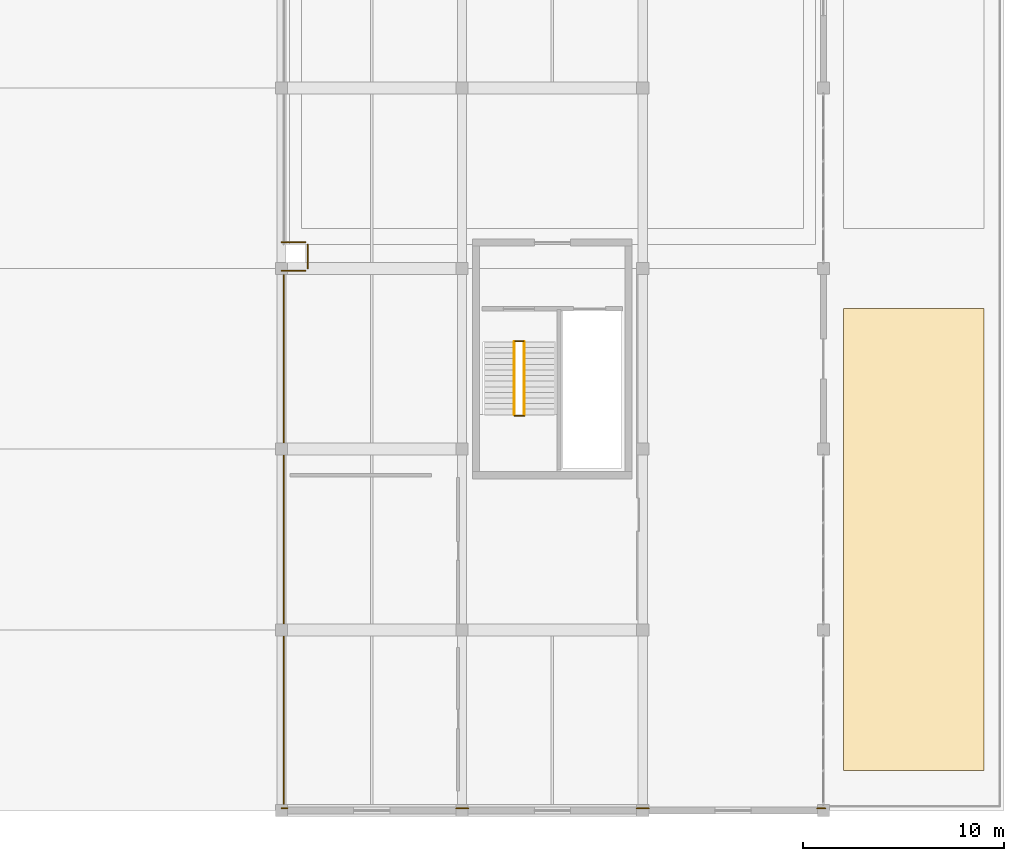
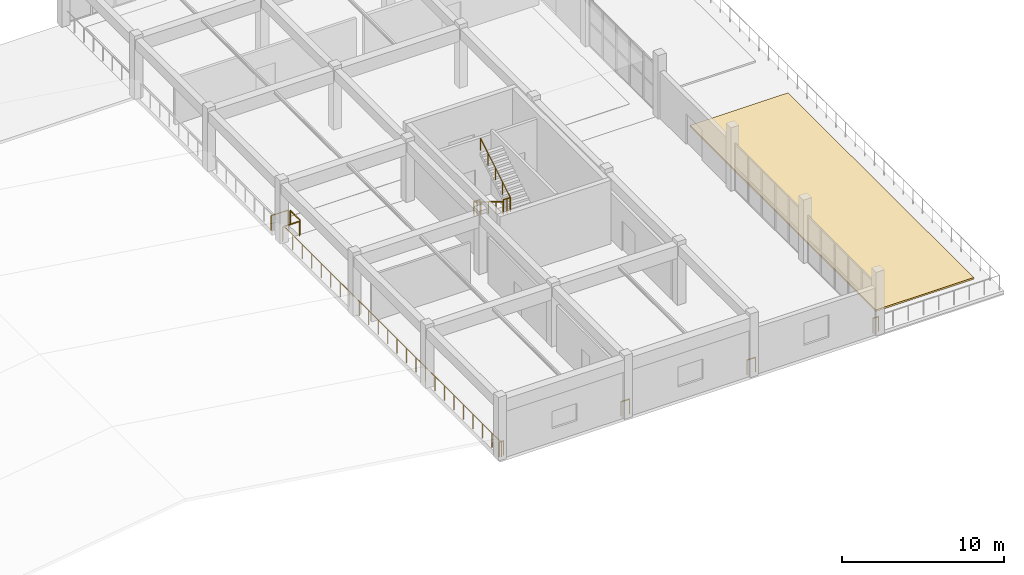
# One storey, part 80 of 89: 12 railings, 1 covering.
"""IFC4 building model written with IfcOpenShell, lengths in metres."""

import ifcopenshell
import ifcopenshell.guid

model = None  # the IFC model being written
_history = None  # IfcOwnerHistory: only IFC2X3 demands one
_inside = {}  # id of a spatial element -> (the spatial element, [elements in it])
_under = {}  # id of a project, library or spatial element -> (it, [spatial elements below it])
_declared = {}  # id of a project -> (the project, [libraries it declares])
_typed = {}  # id of a type object -> (the type object, [elements of that type])
_made_of = {}  # id of a material, layer set ... -> (it, [elements and type objects made of it])


def new_model(schema):
    """Start an empty IFC model of exactly this schema.

    Asked for "IFC4X3", IfcOpenShell would pick the latest addendum, in which some entities
    have other attributes; the version numbers below select the first issue.
    IFC2X3 requires an IfcOwnerHistory on every rooted entity: one is made here for all.
    """
    global model, _history
    if schema == "IFC4X3":
        model = ifcopenshell.file(schema_version=(4, 3, 0, 0))
    else:
        model = ifcopenshell.file(schema=schema)
    _inside.clear()
    _under.clear()
    _declared.clear()
    _typed.clear()
    _made_of.clear()
    _history = None
    if model.schema == "IFC2X3":
        org = make("IfcOrganization", Name="unknown")
        user = make(
            "IfcPersonAndOrganization",
            ThePerson=make("IfcPerson", FamilyName="unknown"),
            TheOrganization=org,
        )
        app = make(
            "IfcApplication",
            ApplicationDeveloper=org,
            Version="unknown",
            ApplicationFullName="unknown",
            ApplicationIdentifier="unknown",
        )
        _history = make(
            "IfcOwnerHistory",
            OwningUser=user,
            OwningApplication=app,
            ChangeAction="ADDED",
            CreationDate=0,
        )
    return model


def make(cls, **values):
    """One entity of the class cls with the attributes given. An attribute that is None is left unset."""
    return model.create_entity(
        cls, **{name: value for name, value in values.items() if value is not None}
    )


def rooted(cls, **values):
    """An entity with a GlobalId (a new one), such as an element, a storey or a relation."""
    return make(cls, GlobalId=ifcopenshell.guid.new(), OwnerHistory=_history, **values)


def si_unit(unit_type, name, prefix=None):
    """IfcSIUnit, for example si_unit("LENGTHUNIT", "METRE", prefix="MILLI")."""
    return make("IfcSIUnit", UnitType=unit_type, Prefix=prefix, Name=name)


def assignment(units):
    """IfcUnitAssignment: the units of a project."""
    return None if units is None else make("IfcUnitAssignment", Units=units)


def point(xyz):
    """IfcCartesianPoint."""
    return None if xyz is None else make("IfcCartesianPoint", Coordinates=xyz)


def direction(xyz):
    """IfcDirection."""
    return None if xyz is None else make("IfcDirection", DirectionRatios=xyz)


def frame(location, z_axis=None, x_axis=None):
    """IfcAxis2Placement3D, a coordinate frame: its origin and axes. An axis left out is left unset."""
    return make(
        "IfcAxis2Placement3D",
        Location=point(location),
        Axis=direction(z_axis),
        RefDirection=direction(x_axis),
    )


def frame_2d(location, x_axis=None):
    """IfcAxis2Placement2D, a coordinate frame in the plane: its origin and x axis."""
    return make(
        "IfcAxis2Placement2D", Location=point(location), RefDirection=direction(x_axis)
    )


def origin():
    """The frame at (0, 0, 0) with its axes left unset."""
    return frame((0.0, 0.0, 0.0))


def origin_2d():
    """The frame at (0, 0) in the plane with its x axis left unset."""
    return frame_2d((0.0, 0.0))


def place(relative_to, where):
    """IfcLocalPlacement: puts the frame where relative to a parent placement (None: the world)."""
    return make(
        "IfcLocalPlacement", PlacementRelTo=relative_to, RelativePlacement=where
    )


def context(
    kind, dimensions, precision=None, world=None, true_north=None, identifier=None
):
    """IfcGeometricRepresentationContext, for example the 3D "Model" context."""
    return make(
        "IfcGeometricRepresentationContext",
        ContextIdentifier=identifier,
        ContextType=kind,
        CoordinateSpaceDimension=dimensions,
        Precision=precision,
        WorldCoordinateSystem=world,
        TrueNorth=true_north,
    )


def subcontext(parent, identifier, kind, view, scale=None):
    """IfcGeometricRepresentationSubContext, for example "Body" below "Model"."""
    return make(
        "IfcGeometricRepresentationSubContext",
        ContextIdentifier=identifier,
        ContextType=kind,
        ParentContext=parent,
        TargetScale=scale,
        TargetView=view,
    )


def project(units=None, contexts=None):
    """IfcProject with its units and contexts."""
    return rooted(
        "IfcProject",
        Name="project",
        RepresentationContexts=contexts,
        UnitsInContext=assignment(units),
    )


def spatial(cls, under=None, at=None, **own):
    """A site, building, storey or space (cls), placed at a placement, below another one or the project."""
    s = rooted(cls, ObjectPlacement=at, **own)
    if under is not None:
        _under.setdefault(under.id(), (under, []))[1].append(s)
    return s


def polyline(points):
    """IfcPolyline through the points."""
    return make("IfcPolyline", Points=[point(p) for p in points])


def profile(cls, at=None, kind="AREA", **sizes):
    """A parametric profile (cls). Its sizes go by their IFC names, for example OverallWidth=200.0."""
    return make(cls, ProfileType=kind, Position=at, **sizes)


def circle(**sizes):
    """IfcCircleProfileDef."""
    return profile("IfcCircleProfileDef", **sizes)


def outline(outer, holes=None, kind="AREA"):
    """IfcArbitraryClosedProfileDef: a profile drawn as a closed curve; with holes, ...WithVoids."""
    if holes is None:
        return make("IfcArbitraryClosedProfileDef", ProfileType=kind, OuterCurve=outer)
    return make(
        "IfcArbitraryProfileDefWithVoids",
        ProfileType=kind,
        OuterCurve=outer,
        InnerCurves=holes,
    )


def extrude(swept, where, along, depth):
    """IfcExtrudedAreaSolid: the profile swept, set in the frame where, extruded along a direction by depth."""
    return make(
        "IfcExtrudedAreaSolid",
        SweptArea=swept,
        Position=where,
        ExtrudedDirection=direction(along),
        Depth=depth,
    )


def shape(context_of_items, identifier, shape_type, items):
    """IfcShapeRepresentation: the items that make up one representation, for example the "Body"."""
    return make(
        "IfcShapeRepresentation",
        ContextOfItems=context_of_items,
        RepresentationIdentifier=identifier,
        RepresentationType=shape_type,
        Items=items,
    )


def material(Name=None, Category=None):
    """IfcMaterial."""
    return make("IfcMaterial", Name=Name, Category=Category)


def layer(
    of_material, thickness, ventilated=None, Name=None, Category=None, Priority=None
):
    """IfcMaterialLayer: one layer of a wall or slab, of a material (None: an air gap)."""
    return make(
        "IfcMaterialLayer",
        Material=of_material,
        LayerThickness=thickness,
        IsVentilated=ventilated,
        Name=Name,
        Category=Category,
        Priority=Priority,
    )


def layer_set(layers, Name=None):
    """IfcMaterialLayerSet."""
    return make("IfcMaterialLayerSet", MaterialLayers=layers, LayerSetName=Name)


def made_of(thing, what):
    """Note that an element or type object is made of a material, layer set ...; save() writes the relation."""
    if what is not None:
        _made_of.setdefault(what.id(), (what, []))[1].append(thing)
    return thing


def type_object(cls, material=None, **own):
    """A type object (cls), such as IfcWallType, which elements share."""
    return made_of(rooted(cls, **own), material)


def element(
    cls,
    number,
    at=None,
    inside=None,
    cuts=None,
    type_object=None,
    material=None,
    context=None,
    identifier="Body",
    shape_type=None,
    held_by="IfcProductDefinitionShape",
    body=None,
    shapes=None,
    **own,
):
    """One element of the class cls, such as IfcWall. Its Tag is "e" and its number.

    at: its placement. inside: the storey or other place that contains it. cuts: it is an
    opening in that element (IfcRelVoidsElement). A single representation is given by context,
    identifier, shape_type and body (its items); several are given by shapes. held_by: the class
    of the entity that holds the representations. save() writes the other relations.
    """
    e = rooted(cls, Tag="e%d" % number, ObjectPlacement=at, **own)
    if body is not None:
        shapes = [shape(context, identifier, shape_type, body)]
    if shapes is not None:
        e.Representation = make(held_by, Representations=shapes)
    if inside is not None:
        _inside.setdefault(inside.id(), (inside, []))[1].append(e)
    if cuts is not None:
        rooted(
            "IfcRelVoidsElement", RelatingBuildingElement=cuts, RelatedOpeningElement=e
        )
    if type_object is not None:
        _typed.setdefault(type_object.id(), (type_object, []))[1].append(e)
    return made_of(e, material)


def aggregate(whole, parts):
    """IfcRelAggregates: a whole, such as a stair, and the parts it consists of."""
    return rooted("IfcRelAggregates", RelatingObject=whole, RelatedObjects=parts)


def save(model, path):
    """Write the relations noted so far, then the file.

    IfcRelAggregates (storeys below a building ...), IfcRelContainedInSpatialStructure (elements
    in a storey), IfcRelDefinesByType, IfcRelAssociatesMaterial and IfcRelDeclares: one each for
    every whole, place, type object, material and project.
    """
    for whole, parts in _under.values():
        aggregate(whole, parts)
    for where, things in _inside.values():
        rooted(
            "IfcRelContainedInSpatialStructure",
            RelatedElements=things,
            RelatingStructure=where,
        )
    for kind, things in _typed.values():
        rooted("IfcRelDefinesByType", RelatedObjects=things, RelatingType=kind)
    for what, things in _made_of.values():
        rooted("IfcRelAssociatesMaterial", RelatedObjects=things, RelatingMaterial=what)
    for by, libraries in _declared.values():
        rooted("IfcRelDeclares", RelatingContext=by, RelatedDefinitions=libraries)
    model.write(path)


model = new_model("IFC4")

# Units and contexts
model_context = context("Model", 3, precision=1e-05, world=origin(), true_north=direction((0.0, 1.0)))
body_context = subcontext(model_context, "Body", "Model", "MODEL_VIEW")
ifc_project = project(units=[si_unit("LENGTHUNIT", "METRE"), si_unit("AREAUNIT", "SQUARE_METRE"), si_unit("VOLUMEUNIT", "CUBIC_METRE"), si_unit("PLANEANGLEUNIT", "RADIAN"), si_unit("MASSUNIT", "GRAM", prefix="KILO")], contexts=[model_context])

# Site, building, storey
site_placement = place(None, origin())
site = spatial("IfcSite", under=ifc_project, at=site_placement, CompositionType="ELEMENT")
building_placement = place(site_placement, origin())
building = spatial("IfcBuilding", under=site, at=building_placement, Name="Dornveld Trade and Exhibition Forum", CompositionType="ELEMENT")
storey_placement = place(building_placement, frame((0.0, 0.0, 12.0)))
storey = spatial("IfcBuildingStorey", under=building, at=storey_placement, Name="L02", CompositionType="ELEMENT", Elevation=12.0)

# Covering
ifc_material_1 = material(Name="Planted roof-garden substrate and filter layer", Category="earth")
ifc_layer = layer(ifc_material_1, 0.1201171875)
ifc_layer_set = layer_set([ifc_layer], Name="Planted roof-garden substrate and filter layer")
covering_type = type_object("IfcCoveringType", Name="COV-ROOF-PLANT", PredefinedType="ROOFING", material=ifc_layer_set)
covering_placement = place(storey_placement, origin())
element("IfcCovering", 1, at=covering_placement, inside=storey, type_object=covering_type, Name="L02 planted xeriscape roof-garden bed 1", PredefinedType="ROOFING", context=body_context, shape_type="SweptSolid", body=[
    extrude(outline(polyline([(226.0, 2.0), (233.0, 2.0), (233.0, 25.0), (226.0, 25.0), (226.0, 2.0)])), origin(), (0.0, 0.0, 1.0), 0.1201171875),
])

# Railings
ifc_material_2 = material(Name="Dark-bronze steel and laminated glass balustrade", Category="steel")
railing_type_1 = type_object("IfcRailingType", Name="RL-BALUST-CONC", PredefinedType="BALUSTRADE", material=ifc_material_2)
railing_1_placement = place(storey_placement, frame((225.10009765625, 0.10009765625, 0.0)))
element("IfcRailing", 2, at=railing_1_placement, inside=storey, type_object=railing_type_1, Name="L02 deck edge balustrade 107", PredefinedType="BALUSTRADE", context=body_context, shape_type="SweptSolid", body=[
    extrude(circle(Radius=0.02490234375, at=origin_2d()), frame((0.0, 0.0, 1.09521484375), z_axis=(-1.0, 0.0, 0.0), x_axis=(0.0, -1.0, 0.0)), (0.0, 0.0, 1.0), 0.399658203125),
    extrude(circle(Radius=0.02099609375, at=origin_2d()), origin(), (0.0, 0.0, 1.0), 1.070068359375),
    extrude(circle(Radius=0.02099609375, at=origin_2d()), frame((-0.399658203125, 0.0, 0.0)), (0.0, 0.0, 1.0), 1.070068359375),
])
for number, where, name in (
    (3, (216.299560546875, 0.10009765625, 0.0), "L02 deck edge balustrade 108"),
    (4, (207.299560546875, 0.10009765625, 0.0), "L02 deck edge balustrade 109"),
):
    element("IfcRailing", number, at=place(storey_placement, frame(where)), inside=storey, type_object=railing_type_1, Name=name, PredefinedType="BALUSTRADE", context=body_context, shape_type="SweptSolid", body=[
        extrude(circle(Radius=0.02490234375, at=origin_2d()), frame((0.0, 0.0, 1.09521484375), z_axis=(-1.0, 0.0, 0.0), x_axis=(0.0, -1.0, 0.0)), (0.0, 0.0, 1.0), 0.59912109375),
        extrude(circle(Radius=0.02099609375, at=origin_2d()), origin(), (0.0, 0.0, 1.0), 1.070068359375),
        extrude(circle(Radius=0.02099609375, at=origin_2d()), frame((-0.59912109375, 0.0, 0.0)), (0.0, 0.0, 1.0), 1.070068359375),
    ])
railing_2_placement = place(storey_placement, frame((198.299560546875, 0.10009765625, 0.0)))
element("IfcRailing", 5, at=railing_2_placement, inside=storey, type_object=railing_type_1, Name="L02 deck edge balustrade 110", PredefinedType="BALUSTRADE", context=body_context, shape_type="SweptSolid", body=[
    extrude(circle(Radius=0.02490234375, at=origin_2d()), frame((0.0, 0.0, 1.09521484375), z_axis=(-1.0, 0.0, 0.0), x_axis=(0.0, -1.0, 0.0)), (0.0, 0.0, 1.0), 0.299560546875),
    extrude(circle(Radius=0.02099609375, at=origin_2d()), origin(), (0.0, 0.0, 1.0), 1.070068359375),
    extrude(circle(Radius=0.02099609375, at=origin_2d()), frame((-0.299560546875, 0.0, 0.0)), (0.0, 0.0, 1.0), 1.070068359375),
])
railing_3_placement = place(storey_placement, frame((198.10009765625, 0.0, 0.0)))
element("IfcRailing", 6, at=railing_3_placement, inside=storey, type_object=railing_type_1, Name="L02 deck edge balustrade 111", PredefinedType="BALUSTRADE", context=body_context, shape_type="SweptSolid", body=[
    extrude(circle(Radius=0.02490234375, at=origin_2d()), frame((0.0, 0.0, 1.09521484375), z_axis=(0.0, 1.0, 0.0), x_axis=(-1.0, 0.0, 0.0)), (0.0, 0.0, 1.0), 27.0),
    extrude(circle(Radius=0.02099609375, at=origin_2d()), origin(), (0.0, 0.0, 1.0), 1.070068359375),
    extrude(circle(Radius=0.02099609375, at=origin_2d()), frame((0.0, 1.173828125, 0.0)), (0.0, 0.0, 1.0), 1.070068359375),
    extrude(circle(Radius=0.02099609375, at=origin_2d()), frame((0.0, 2.347900390625, 0.0)), (0.0, 0.0, 1.0), 1.070068359375),
    extrude(circle(Radius=0.02099609375, at=origin_2d()), frame((0.0, 3.521728515625, 0.0)), (0.0, 0.0, 1.0), 1.070068359375),
    extrude(circle(Radius=0.02099609375, at=origin_2d()), frame((0.0, 4.695556640625, 0.0)), (0.0, 0.0, 1.0), 1.070068359375),
    extrude(circle(Radius=0.02099609375, at=origin_2d()), frame((0.0, 5.86962890625, 0.0)), (0.0, 0.0, 1.0), 1.070068359375),
    extrude(circle(Radius=0.02099609375, at=origin_2d()), frame((0.0, 7.04345703125, 0.0)), (0.0, 0.0, 1.0), 1.070068359375),
    extrude(circle(Radius=0.02099609375, at=origin_2d()), frame((0.0, 8.21728515625, 0.0)), (0.0, 0.0, 1.0), 1.070068359375),
    extrude(circle(Radius=0.02099609375, at=origin_2d()), frame((0.0, 9.391357421875, 0.0)), (0.0, 0.0, 1.0), 1.070068359375),
    extrude(circle(Radius=0.02099609375, at=origin_2d()), frame((0.0, 10.565185546875, 0.0)), (0.0, 0.0, 1.0), 1.070068359375),
    extrude(circle(Radius=0.02099609375, at=origin_2d()), frame((0.0, 11.739013671875, 0.0)), (0.0, 0.0, 1.0), 1.070068359375),
    extrude(circle(Radius=0.02099609375, at=origin_2d()), frame((0.0, 12.9130859375, 0.0)), (0.0, 0.0, 1.0), 1.070068359375),
    extrude(circle(Radius=0.02099609375, at=origin_2d()), frame((0.0, 14.0869140625, 0.0)), (0.0, 0.0, 1.0), 1.070068359375),
    extrude(circle(Radius=0.02099609375, at=origin_2d()), frame((0.0, 15.260986328125, 0.0)), (0.0, 0.0, 1.0), 1.070068359375),
    extrude(circle(Radius=0.02099609375, at=origin_2d()), frame((0.0, 16.434814453125, 0.0)), (0.0, 0.0, 1.0), 1.070068359375),
    extrude(circle(Radius=0.02099609375, at=origin_2d()), frame((0.0, 17.608642578125, 0.0)), (0.0, 0.0, 1.0), 1.070068359375),
    extrude(circle(Radius=0.02099609375, at=origin_2d()), frame((0.0, 18.78271484375, 0.0)), (0.0, 0.0, 1.0), 1.070068359375),
    extrude(circle(Radius=0.02099609375, at=origin_2d()), frame((0.0, 19.95654296875, 0.0)), (0.0, 0.0, 1.0), 1.070068359375),
    extrude(circle(Radius=0.02099609375, at=origin_2d()), frame((0.0, 21.13037109375, 0.0)), (0.0, 0.0, 1.0), 1.070068359375),
    extrude(circle(Radius=0.02099609375, at=origin_2d()), frame((0.0, 22.304443359375, 0.0)), (0.0, 0.0, 1.0), 1.070068359375),
    extrude(circle(Radius=0.02099609375, at=origin_2d()), frame((0.0, 23.478271484375, 0.0)), (0.0, 0.0, 1.0), 1.070068359375),
    extrude(circle(Radius=0.02099609375, at=origin_2d()), frame((0.0, 24.652099609375, 0.0)), (0.0, 0.0, 1.0), 1.070068359375),
    extrude(circle(Radius=0.02099609375, at=origin_2d()), frame((0.0, 25.826171875, 0.0)), (0.0, 0.0, 1.0), 1.070068359375),
    extrude(circle(Radius=0.02099609375, at=origin_2d()), frame((0.0, 27.0, 0.0)), (0.0, 0.0, 1.0), 1.070068359375),
])
railing_4_placement = place(storey_placement, frame((198.0, 26.89990234375, 0.0)))
element("IfcRailing", 7, at=railing_4_placement, inside=storey, type_object=railing_type_1, Name="L02 deck edge balustrade 112", PredefinedType="BALUSTRADE", context=body_context, shape_type="SweptSolid", body=[
    extrude(circle(Radius=0.02490234375, at=origin_2d()), frame((0.0, 0.0, 1.09521484375), z_axis=(1.0, 0.0, 0.0), x_axis=(0.0, 1.0, 0.0)), (0.0, 0.0, 1.0), 1.199951171875),
    extrude(circle(Radius=0.02099609375, at=origin_2d()), origin(), (0.0, 0.0, 1.0), 1.070068359375),
    extrude(circle(Radius=0.02099609375, at=origin_2d()), frame((1.199951171875, 0.0, 0.0)), (0.0, 0.0, 1.0), 1.070068359375),
])
railing_5_placement = place(storey_placement, frame((199.300048828125, 27.0, 0.0)))
element("IfcRailing", 8, at=railing_5_placement, inside=storey, type_object=railing_type_1, Name="L02 deck edge balustrade 113", PredefinedType="BALUSTRADE", context=body_context, shape_type="SweptSolid", body=[
    extrude(circle(Radius=0.02490234375, at=origin_2d()), frame((0.0, 0.0, 1.09521484375), z_axis=(0.0, 1.0, 0.0), x_axis=(-1.0, 0.0, 0.0)), (0.0, 0.0, 1.0), 1.199951171875),
    extrude(circle(Radius=0.02099609375, at=origin_2d()), origin(), (0.0, 0.0, 1.0), 1.070068359375),
    extrude(circle(Radius=0.02099609375, at=origin_2d()), frame((0.0, 1.199951171875, 0.0)), (0.0, 0.0, 1.0), 1.070068359375),
])
railing_6_placement = place(storey_placement, frame((199.199951171875, 28.300048828125, 0.0)))
element("IfcRailing", 9, at=railing_6_placement, inside=storey, type_object=railing_type_1, Name="L02 deck edge balustrade 114", PredefinedType="BALUSTRADE", context=body_context, shape_type="SweptSolid", body=[
    extrude(circle(Radius=0.02490234375, at=origin_2d()), frame((0.0, 0.0, 1.09521484375), z_axis=(-1.0, 0.0, 0.0), x_axis=(0.0, -1.0, 0.0)), (0.0, 0.0, 1.0), 1.199951171875),
    extrude(circle(Radius=0.02099609375, at=origin_2d()), origin(), (0.0, 0.0, 1.0), 1.070068359375),
    extrude(circle(Radius=0.02099609375, at=origin_2d()), frame((-1.199951171875, 0.0, 0.0)), (0.0, 0.0, 1.0), 1.070068359375),
])
ifc_material_3 = material(Name="Brushed stainless steel handrail", Category="steel")
railing_type_2 = type_object("IfcRailingType", Name="RL-HAND-920", PredefinedType="HANDRAIL", material=ifc_material_3)
railing_7_placement = place(storey_placement, frame((209.60498046875, 23.35009765625, 0.17138671875)))
element("IfcRailing", 10, at=railing_7_placement, inside=storey, type_object=railing_type_2, Name="ST-11-L02 flight 1 handrail", PredefinedType="HANDRAIL", context=body_context, shape_type="SweptSolid", body=[
    extrude(circle(Radius=0.02099609375, at=origin_2d()), frame((0.0, 0.0, 0.89892578125), z_axis=(0.0, -0.852865859571, 0.52213008492), x_axis=(1.0, 0.0, 0.0)), (0.0, 0.0, 1.0), 4.26806640625),
    extrude(circle(Radius=0.01806640625, at=origin_2d()), origin(), (0.0, 0.0, 1.0), 0.8779296875),
    extrude(circle(Radius=0.01806640625, at=origin_2d()), frame((0.0, -0.91015625, 0.55712890625)), (0.0, 0.0, 1.0), 0.8779296875),
    extrude(circle(Radius=0.01806640625, at=origin_2d()), frame((0.0, -1.820068359375, 1.1142578125)), (0.0, 0.0, 1.0), 0.8779296875),
    extrude(circle(Radius=0.01806640625, at=origin_2d()), frame((0.0, -2.72998046875, 1.67138671875)), (0.0, 0.0, 1.0), 0.8779296875),
    extrude(circle(Radius=0.01806640625, at=origin_2d()), frame((0.0, -3.64013671875, 2.228515625)), (0.0, 0.0, 1.0), 0.8779296875),
])
railing_8_placement = place(storey_placement, frame((210.094970703125, 19.7099609375, 2.5712890625)))
element("IfcRailing", 11, at=railing_8_placement, inside=storey, type_object=railing_type_2, Name="ST-11-L02 flight 2 handrail", PredefinedType="HANDRAIL", context=body_context, shape_type="SweptSolid", body=[
    extrude(circle(Radius=0.02099609375, at=origin_2d()), frame((0.0, 0.0, 0.89892578125), z_axis=(0.0, 0.852840387347, 0.522171689878), x_axis=(-1.0, 0.0, 0.0)), (0.0, 0.0, 1.0), 4.268310546875),
    extrude(circle(Radius=0.01806640625, at=origin_2d()), origin(), (0.0, 0.0, 1.0), 0.8779296875),
    extrude(circle(Radius=0.01806640625, at=origin_2d()), frame((0.0, 0.91015625, 0.55712890625)), (0.0, 0.0, 1.0), 0.8779296875),
    extrude(circle(Radius=0.01806640625, at=origin_2d()), frame((0.0, 1.820068359375, 1.1142578125)), (0.0, 0.0, 1.0), 0.8779296875),
    extrude(circle(Radius=0.01806640625, at=origin_2d()), frame((0.0, 2.72998046875, 1.671630859375)), (0.0, 0.0, 1.0), 0.8779296875),
    extrude(circle(Radius=0.01806640625, at=origin_2d()), frame((0.0, 3.64013671875, 2.228759765625)), (0.0, 0.0, 1.0), 0.8779296875),
])
ifc_material_4 = material(Name="Painted steel S355J2 stair-well guard", Category="steel")
railing_type_3 = type_object("IfcRailingType", Name="RL-WELL-110", PredefinedType="GUARDRAIL", material=ifc_material_4)
railing_9_placement = place(storey_placement, frame((209.60498046875, 19.659912109375, 2.39990234375)))
element("IfcRailing", 12, at=railing_9_placement, inside=storey, type_object=railing_type_3, Name="ST-11-L02 half-landing well guard", PredefinedType="GUARDRAIL", context=body_context, shape_type="SweptSolid", body=[
    extrude(circle(Radius=0.02392578125, at=origin_2d()), frame((0.0, 0.0, 1.076171875), z_axis=(1.0, 0.0, 0.0), x_axis=(0.0, 1.0, 0.0)), (0.0, 0.0, 1.0), 0.489990234375),
    extrude(circle(Radius=0.02001953125, at=origin_2d()), origin(), (0.0, 0.0, 1.0), 1.052001953125),
    extrude(circle(Radius=0.02001953125, at=origin_2d()), frame((0.2451171875, 0.0, 0.0)), (0.0, 0.0, 1.0), 1.052001953125),
    extrude(circle(Radius=0.02001953125, at=origin_2d()), frame((0.489990234375, 0.0, 0.0)), (0.0, 0.0, 1.0), 1.052001953125),
])
railing_10_placement = place(storey_placement, frame((209.635009765625, 23.3701171875, 0.0)))
element("IfcRailing", 13, at=railing_10_placement, inside=storey, type_object=railing_type_3, Name="CORE-11 L02 stair-slot floor guard", PredefinedType="GUARDRAIL", context=body_context, shape_type="SweptSolid", body=[
    extrude(circle(Radius=0.02392578125, at=origin_2d()), frame((0.0, 0.0, 1.076171875), z_axis=(1.0, 0.0, 0.0), x_axis=(0.0, 1.0, 0.0)), (0.0, 0.0, 1.0), 0.429931640625),
    extrude(circle(Radius=0.02001953125, at=origin_2d()), origin(), (0.0, 0.0, 1.0), 1.052001953125),
    extrude(circle(Radius=0.02001953125, at=origin_2d()), frame((0.21484375, 0.0, 0.0)), (0.0, 0.0, 1.0), 1.052001953125),
    extrude(circle(Radius=0.02001953125, at=origin_2d()), frame((0.429931640625, 0.0, 0.0)), (0.0, 0.0, 1.0), 1.052001953125),
])

save(model, "model.ifc")
